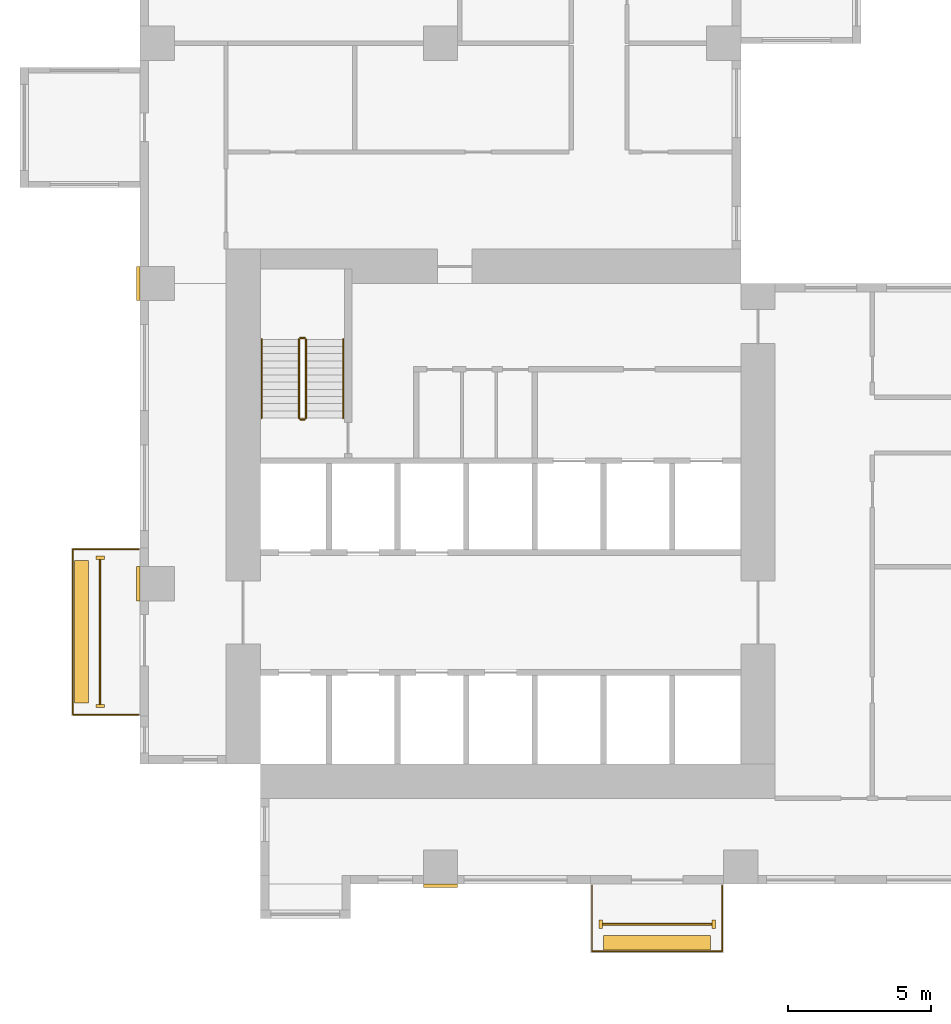
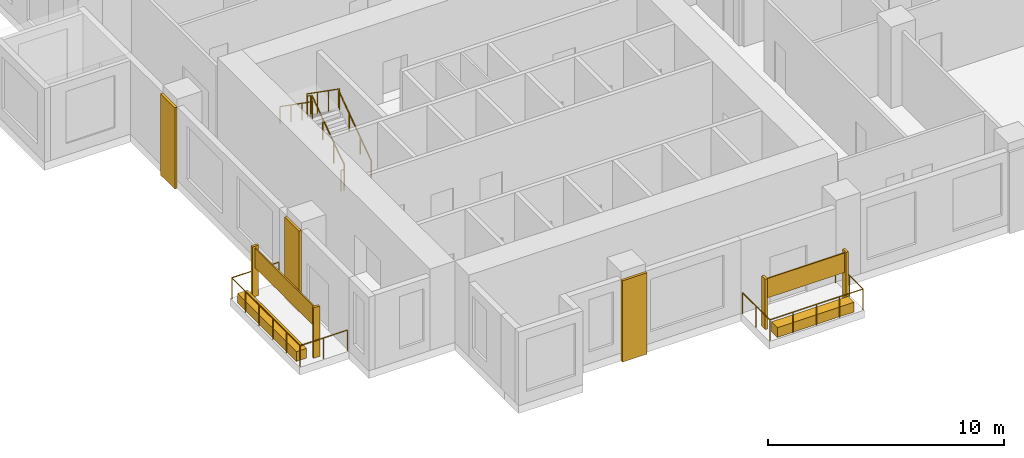
# One storey, part 11 of 14: 11 coverings, 8 railings.
"""IFC4 building model written with IfcOpenShell, lengths in metres."""

import ifcopenshell
import ifcopenshell.guid

model = None  # the IFC model being written
_history = None  # IfcOwnerHistory: only IFC2X3 demands one
_inside = {}  # id of a spatial element -> (the spatial element, [elements in it])
_under = {}  # id of a project, library or spatial element -> (it, [spatial elements below it])
_declared = {}  # id of a project -> (the project, [libraries it declares])
_typed = {}  # id of a type object -> (the type object, [elements of that type])
_made_of = {}  # id of a material, layer set ... -> (it, [elements and type objects made of it])


def new_model(schema):
    """Start an empty IFC model of exactly this schema.

    Asked for "IFC4X3", IfcOpenShell would pick the latest addendum, in which some entities
    have other attributes; the version numbers below select the first issue.
    IFC2X3 requires an IfcOwnerHistory on every rooted entity: one is made here for all.
    """
    global model, _history
    if schema == "IFC4X3":
        model = ifcopenshell.file(schema_version=(4, 3, 0, 0))
    else:
        model = ifcopenshell.file(schema=schema)
    _inside.clear()
    _under.clear()
    _declared.clear()
    _typed.clear()
    _made_of.clear()
    _history = None
    if model.schema == "IFC2X3":
        org = make("IfcOrganization", Name="unknown")
        user = make(
            "IfcPersonAndOrganization",
            ThePerson=make("IfcPerson", FamilyName="unknown"),
            TheOrganization=org,
        )
        app = make(
            "IfcApplication",
            ApplicationDeveloper=org,
            Version="unknown",
            ApplicationFullName="unknown",
            ApplicationIdentifier="unknown",
        )
        _history = make(
            "IfcOwnerHistory",
            OwningUser=user,
            OwningApplication=app,
            ChangeAction="ADDED",
            CreationDate=0,
        )
    return model


def make(cls, **values):
    """One entity of the class cls with the attributes given. An attribute that is None is left unset."""
    return model.create_entity(
        cls, **{name: value for name, value in values.items() if value is not None}
    )


def rooted(cls, **values):
    """An entity with a GlobalId (a new one), such as an element, a storey or a relation."""
    return make(cls, GlobalId=ifcopenshell.guid.new(), OwnerHistory=_history, **values)


def si_unit(unit_type, name, prefix=None):
    """IfcSIUnit, for example si_unit("LENGTHUNIT", "METRE", prefix="MILLI")."""
    return make("IfcSIUnit", UnitType=unit_type, Prefix=prefix, Name=name)


def assignment(units):
    """IfcUnitAssignment: the units of a project."""
    return None if units is None else make("IfcUnitAssignment", Units=units)


def point(xyz):
    """IfcCartesianPoint."""
    return None if xyz is None else make("IfcCartesianPoint", Coordinates=xyz)


def direction(xyz):
    """IfcDirection."""
    return None if xyz is None else make("IfcDirection", DirectionRatios=xyz)


def frame(location, z_axis=None, x_axis=None):
    """IfcAxis2Placement3D, a coordinate frame: its origin and axes. An axis left out is left unset."""
    return make(
        "IfcAxis2Placement3D",
        Location=point(location),
        Axis=direction(z_axis),
        RefDirection=direction(x_axis),
    )


def frame_2d(location, x_axis=None):
    """IfcAxis2Placement2D, a coordinate frame in the plane: its origin and x axis."""
    return make(
        "IfcAxis2Placement2D", Location=point(location), RefDirection=direction(x_axis)
    )


def origin():
    """The frame at (0, 0, 0) with its axes left unset."""
    return frame((0.0, 0.0, 0.0))


def origin_2d():
    """The frame at (0, 0) in the plane with its x axis left unset."""
    return frame_2d((0.0, 0.0))


def place(relative_to, where):
    """IfcLocalPlacement: puts the frame where relative to a parent placement (None: the world)."""
    return make(
        "IfcLocalPlacement", PlacementRelTo=relative_to, RelativePlacement=where
    )


def context(
    kind, dimensions, precision=None, world=None, true_north=None, identifier=None
):
    """IfcGeometricRepresentationContext, for example the 3D "Model" context."""
    return make(
        "IfcGeometricRepresentationContext",
        ContextIdentifier=identifier,
        ContextType=kind,
        CoordinateSpaceDimension=dimensions,
        Precision=precision,
        WorldCoordinateSystem=world,
        TrueNorth=true_north,
    )


def subcontext(parent, identifier, kind, view, scale=None):
    """IfcGeometricRepresentationSubContext, for example "Body" below "Model"."""
    return make(
        "IfcGeometricRepresentationSubContext",
        ContextIdentifier=identifier,
        ContextType=kind,
        ParentContext=parent,
        TargetScale=scale,
        TargetView=view,
    )


def project(units=None, contexts=None):
    """IfcProject with its units and contexts."""
    return rooted(
        "IfcProject",
        Name="project",
        RepresentationContexts=contexts,
        UnitsInContext=assignment(units),
    )


def spatial(cls, under=None, at=None, **own):
    """A site, building, storey or space (cls), placed at a placement, below another one or the project."""
    s = rooted(cls, ObjectPlacement=at, **own)
    if under is not None:
        _under.setdefault(under.id(), (under, []))[1].append(s)
    return s


def profile(cls, at=None, kind="AREA", **sizes):
    """A parametric profile (cls). Its sizes go by their IFC names, for example OverallWidth=200.0."""
    return make(cls, ProfileType=kind, Position=at, **sizes)


def rectangle(**sizes):
    """IfcRectangleProfileDef."""
    return profile("IfcRectangleProfileDef", **sizes)


def circle(**sizes):
    """IfcCircleProfileDef."""
    return profile("IfcCircleProfileDef", **sizes)


def extrude(swept, where, along, depth):
    """IfcExtrudedAreaSolid: the profile swept, set in the frame where, extruded along a direction by depth."""
    return make(
        "IfcExtrudedAreaSolid",
        SweptArea=swept,
        Position=where,
        ExtrudedDirection=direction(along),
        Depth=depth,
    )


def shape(context_of_items, identifier, shape_type, items):
    """IfcShapeRepresentation: the items that make up one representation, for example the "Body"."""
    return make(
        "IfcShapeRepresentation",
        ContextOfItems=context_of_items,
        RepresentationIdentifier=identifier,
        RepresentationType=shape_type,
        Items=items,
    )


def source(mapping_origin, context_of_items, identifier, shape_type, items):
    """IfcRepresentationMap: a shape defined once, which mapped items show again and again."""
    return make(
        "IfcRepresentationMap",
        MappingOrigin=mapping_origin,
        MappedRepresentation=shape(context_of_items, identifier, shape_type, items),
    )


def transform(
    local_origin,
    x_axis=None,
    y_axis=None,
    z_axis=None,
    scale=None,
    scale2=None,
    scale3=None,
    uniform=True,
):
    """IfcCartesianTransformationOperator3D, or its non-uniform kind. x_axis, y_axis, z_axis: its Axis1, 2, 3."""
    if uniform:
        return make(
            "IfcCartesianTransformationOperator3D",
            Axis1=direction(x_axis),
            Axis2=direction(y_axis),
            LocalOrigin=point(local_origin),
            Scale=scale,
            Axis3=direction(z_axis),
        )
    return make(
        "IfcCartesianTransformationOperator3DnonUniform",
        Axis1=direction(x_axis),
        Axis2=direction(y_axis),
        LocalOrigin=point(local_origin),
        Scale=scale,
        Axis3=direction(z_axis),
        Scale2=scale2,
        Scale3=scale3,
    )


def mapped(mapping_source, mapping_target):
    """IfcMappedItem: shows the shape of a source again, moved by a transform."""
    return make(
        "IfcMappedItem", MappingSource=mapping_source, MappingTarget=mapping_target
    )


def material(Name=None, Category=None):
    """IfcMaterial."""
    return make("IfcMaterial", Name=Name, Category=Category)


def made_of(thing, what):
    """Note that an element or type object is made of a material, layer set ...; save() writes the relation."""
    if what is not None:
        _made_of.setdefault(what.id(), (what, []))[1].append(thing)
    return thing


def type_object(cls, material=None, **own):
    """A type object (cls), such as IfcWallType, which elements share."""
    return made_of(rooted(cls, **own), material)


def element(
    cls,
    number,
    at=None,
    inside=None,
    cuts=None,
    type_object=None,
    material=None,
    context=None,
    identifier="Body",
    shape_type=None,
    held_by="IfcProductDefinitionShape",
    body=None,
    shapes=None,
    **own,
):
    """One element of the class cls, such as IfcWall. Its Tag is "e" and its number.

    at: its placement. inside: the storey or other place that contains it. cuts: it is an
    opening in that element (IfcRelVoidsElement). A single representation is given by context,
    identifier, shape_type and body (its items); several are given by shapes. held_by: the class
    of the entity that holds the representations. save() writes the other relations.
    """
    e = rooted(cls, Tag="e%d" % number, ObjectPlacement=at, **own)
    if body is not None:
        shapes = [shape(context, identifier, shape_type, body)]
    if shapes is not None:
        e.Representation = make(held_by, Representations=shapes)
    if inside is not None:
        _inside.setdefault(inside.id(), (inside, []))[1].append(e)
    if cuts is not None:
        rooted(
            "IfcRelVoidsElement", RelatingBuildingElement=cuts, RelatedOpeningElement=e
        )
    if type_object is not None:
        _typed.setdefault(type_object.id(), (type_object, []))[1].append(e)
    return made_of(e, material)


def aggregate(whole, parts):
    """IfcRelAggregates: a whole, such as a stair, and the parts it consists of."""
    return rooted("IfcRelAggregates", RelatingObject=whole, RelatedObjects=parts)


def save(model, path):
    """Write the relations noted so far, then the file.

    IfcRelAggregates (storeys below a building ...), IfcRelContainedInSpatialStructure (elements
    in a storey), IfcRelDefinesByType, IfcRelAssociatesMaterial and IfcRelDeclares: one each for
    every whole, place, type object, material and project.
    """
    for whole, parts in _under.values():
        aggregate(whole, parts)
    for where, things in _inside.values():
        rooted(
            "IfcRelContainedInSpatialStructure",
            RelatedElements=things,
            RelatingStructure=where,
        )
    for kind, things in _typed.values():
        rooted("IfcRelDefinesByType", RelatedObjects=things, RelatingType=kind)
    for what, things in _made_of.values():
        rooted("IfcRelAssociatesMaterial", RelatedObjects=things, RelatingMaterial=what)
    for by, libraries in _declared.values():
        rooted("IfcRelDeclares", RelatingContext=by, RelatedDefinitions=libraries)
    model.write(path)


model = new_model("IFC4")

# Units and contexts
model_context = context("Model", 3, precision=1e-05, world=origin(), true_north=direction((0.0, 1.0)))
body_context = subcontext(model_context, "Body", "Model", "MODEL_VIEW")
ifc_project = project(units=[si_unit("LENGTHUNIT", "METRE"), si_unit("AREAUNIT", "SQUARE_METRE"), si_unit("VOLUMEUNIT", "CUBIC_METRE"), si_unit("PLANEANGLEUNIT", "RADIAN"), si_unit("MASSUNIT", "GRAM", prefix="KILO")], contexts=[model_context])

# Site, building, storey
site_placement = place(None, origin())
site = spatial("IfcSite", under=ifc_project, at=site_placement, CompositionType="ELEMENT")
building_placement = place(site_placement, origin())
building = spatial("IfcBuilding", under=site, at=building_placement, Name="Aurelian Terraces", CompositionType="ELEMENT")
storey_placement = place(building_placement, frame((0.0, 0.0, 90.9)))
storey = spatial("IfcBuildingStorey", under=building, at=storey_placement, Name="L19", CompositionType="ELEMENT", Elevation=90.9)

# Coverings
ifc_material_1 = material(Name="Terracotta rainscreen cladding relief", Category="masonry")
covering_type_1 = type_object("IfcCoveringType", Name="FIN-TC", PredefinedType="CLADDING", material=ifc_material_1)
shared_shape_1 = source(origin(), body_context, "Body", "SweptSolid", [
    extrude(rectangle(XDim=0.3, YDim=0.12, at=origin_2d()), origin(), (0.0, 0.0, 1.0), 2.6),
])
for number, where, z_axis, x_axis, name in (
    (1, (-1.4, 11.41, 0.0), (0.0, 0.0, 1.0), (1.0, 0.0, 0.0), "FIN L19 L19-F14-36.1"),
    (2, (-1.4, 6.23, 0.0), (0.0, 0.0, 1.0), (1.0, 0.0, 0.0), "FIN L19 L19-F14-36.2"),
):
    element("IfcCovering", number, at=place(storey_placement, frame(where, z_axis=z_axis, x_axis=x_axis)), inside=storey, type_object=covering_type_1, Name=name, PredefinedType="CLADDING", context=body_context, shape_type="MappedRepresentation", body=[
        mapped(shared_shape_1, transform((0.0, 0.0, 0.0), scale=1.0)),
    ])
covering_type_2 = type_object("IfcCoveringType", Name="BAGUETTE-TC", PredefinedType="CLADDING", material=ifc_material_1)
shared_shape_2 = source(origin(), body_context, "Body", "SweptSolid", [
    extrude(rectangle(XDim=1.2, YDim=0.12, at=origin_2d()), origin(), (0.0, 0.0, 1.0), 4.2),
])
covering_1_placement = place(storey_placement, frame((10.5, -0.06, -0.4), z_axis=(0.0, 0.0, 1.0), x_axis=(1.0, 0.0, 0.0)))
element("IfcCovering", 3, at=covering_1_placement, inside=storey, type_object=covering_type_2, Name="BAGUETTE pier L19 1", PredefinedType="CLADDING", context=body_context, shape_type="MappedRepresentation", body=[
    mapped(shared_shape_2, transform((0.0, 0.0, 0.0), scale=1.0)),
])
shared_shape_3 = source(origin(), body_context, "Body", "SweptSolid", [
    extrude(rectangle(XDim=0.12, YDim=1.2, at=origin_2d()), origin(), (0.0, 0.0, 1.0), 4.2),
])
for number, where, z_axis, x_axis, name in (
    (4, (-0.06, 10.5, -0.4), (0.0, 0.0, 1.0), (1.0, 0.0, 0.0), "BAGUETTE pier L19 5"),
    (5, (-0.06, 21.0, -0.4), (0.0, 0.0, 1.0), (1.0, 0.0, 0.0), "BAGUETTE pier L19 9"),
):
    element("IfcCovering", number, at=place(storey_placement, frame(where, z_axis=z_axis, x_axis=x_axis)), inside=storey, type_object=covering_type_2, Name=name, PredefinedType="CLADDING", context=body_context, shape_type="MappedRepresentation", body=[
        mapped(shared_shape_3, transform((0.0, 0.0, 0.0), scale=1.0)),
    ])
shared_shape_4 = source(origin(), body_context, "Body", "SweptSolid", [
    extrude(rectangle(XDim=0.12, YDim=0.3, at=origin_2d()), origin(), (0.0, 0.0, 1.0), 2.6),
])
for number, where, z_axis, x_axis, name in (
    (6, (16.1, -1.4, 0.0), (0.0, 0.0, 1.0), (1.0, 0.0, 0.0), "FIN L19 L19-F01-04.1"),
    (7, (20.05, -1.4, 0.0), (0.0, 0.0, 1.0), (1.0, 0.0, 0.0), "FIN L19 L19-F01-04.2"),
):
    element("IfcCovering", number, at=place(storey_placement, frame(where, z_axis=z_axis, x_axis=x_axis)), inside=storey, type_object=covering_type_1, Name=name, PredefinedType="CLADDING", context=body_context, shape_type="MappedRepresentation", body=[
        mapped(shared_shape_4, transform((0.0, 0.0, 0.0), scale=1.0)),
    ])

# Railing
ifc_material_2 = material(Name="Anodised aluminium", Category="aluminium")
railing_type_1 = type_object("IfcRailingType", Name="GUARD-1100", PredefinedType="GUARDRAIL", material=ifc_material_2)
shared_shape_5 = source(origin(), body_context, "Body", "SweptSolid", [
    extrude(circle(Radius=0.024, at=origin_2d()), frame((0.0, 0.0, 1.076), z_axis=(-1.0, 0.0, 0.0), x_axis=(0.0, -1.0, 0.0)), (0.0, 0.0, 1.0), 2.3),
    extrude(circle(Radius=0.024, at=origin_2d()), frame((-2.3, 0.0, 1.076), z_axis=(0.0, -1.0, 0.0), x_axis=(1.0, 0.0, 0.0)), (0.0, 0.0, 1.0), 5.78),
    extrude(circle(Radius=0.024, at=origin_2d()), frame((-2.3, -5.78, 1.076), z_axis=(1.0, 0.0, 0.0), x_axis=(0.0, 1.0, 0.0)), (0.0, 0.0, 1.0), 2.3),
    extrude(circle(Radius=0.021, at=origin_2d()), origin(), (0.0, 0.0, 1.0), 1.052),
    extrude(circle(Radius=0.021, at=origin_2d()), frame((-1.15, 0.0, 0.0)), (0.0, 0.0, 1.0), 1.052),
    extrude(circle(Radius=0.021, at=origin_2d()), frame((-2.3, 0.0, 0.0)), (0.0, 0.0, 1.0), 1.052),
    extrude(circle(Radius=0.021, at=origin_2d()), frame((-2.3, -1.156, 0.0)), (0.0, 0.0, 1.0), 1.052),
    extrude(circle(Radius=0.021, at=origin_2d()), frame((-2.3, -2.312, 0.0)), (0.0, 0.0, 1.0), 1.052),
    extrude(circle(Radius=0.021, at=origin_2d()), frame((-2.3, -3.468, 0.0)), (0.0, 0.0, 1.0), 1.052),
    extrude(circle(Radius=0.021, at=origin_2d()), frame((-2.3, -4.624, 0.0)), (0.0, 0.0, 1.0), 1.052),
    extrude(circle(Radius=0.021, at=origin_2d()), frame((-2.3, -5.78, 0.0)), (0.0, 0.0, 1.0), 1.052),
    extrude(circle(Radius=0.021, at=origin_2d()), frame((-1.15, -5.78, 0.0)), (0.0, 0.0, 1.0), 1.052),
    extrude(circle(Radius=0.021, at=origin_2d()), frame((0.0, -5.78, 0.0)), (0.0, 0.0, 1.0), 1.052),
])
railing_1_placement = place(storey_placement, frame((-0.05, 11.71, 0.0)))
element("IfcRailing", 8, at=railing_1_placement, inside=storey, type_object=railing_type_1, Name="Balcony guard L19 F14.36", PredefinedType="GUARDRAIL", context=body_context, shape_type="MappedRepresentation", body=[
    mapped(shared_shape_5, transform((0.0, 0.0, 0.0), scale=1.0)),
])

# Coverings
ifc_material_3 = material(Name="Terracotta planter with planting soil", Category="masonry")
covering_type_3 = type_object("IfcCoveringType", Name="PLANTER-TROUGH", PredefinedType="USERDEFINED", material=ifc_material_3)
shared_shape_6 = source(origin(), body_context, "Body", "SweptSolid", [
    extrude(rectangle(XDim=0.5, YDim=4.98, at=origin_2d()), origin(), (0.0, 0.0, 1.0), 0.5),
])
covering_2_placement = place(storey_placement, frame((-2.05, 8.82, 0.0), z_axis=(0.0, 0.0, 1.0), x_axis=(1.0, 0.0, 0.0)))
element("IfcCovering", 9, at=covering_2_placement, inside=storey, type_object=covering_type_3, Name="PLANTER L19 L19-F14-36", ObjectType="PLANTER", PredefinedType="USERDEFINED", context=body_context, shape_type="MappedRepresentation", body=[
    mapped(shared_shape_6, transform((0.0, 0.0, 0.0), scale=1.0)),
])
ifc_material_4 = material(Name="Terracotta rainscreen cladding", Category="masonry")
covering_type_4 = type_object("IfcCoveringType", Name="SCREEN-TC", PredefinedType="CLADDING", material=ifc_material_4)
shared_shape_7 = source(origin(), body_context, "Body", "SweptSolid", [
    extrude(rectangle(XDim=0.06, YDim=5.06, at=origin_2d()), origin(), (0.0, 0.0, 1.0), 1.0),
])
covering_3_placement = place(storey_placement, frame((-1.4, 8.82, 1.5), z_axis=(0.0, 0.0, 1.0), x_axis=(1.0, 0.0, 0.0)))
element("IfcCovering", 10, at=covering_3_placement, inside=storey, type_object=covering_type_4, Name="SCREEN L19 L19-F14-36", PredefinedType="CLADDING", context=body_context, shape_type="MappedRepresentation", body=[
    mapped(shared_shape_7, transform((0.0, 0.0, 0.0), scale=1.0)),
])

# Railing
shared_shape_8 = source(origin(), body_context, "Body", "SweptSolid", [
    extrude(circle(Radius=0.024, at=origin_2d()), frame((0.0, 0.0, 1.076), z_axis=(0.0, -1.0, 0.0), x_axis=(1.0, 0.0, 0.0)), (0.0, 0.0, 1.0), 2.3),
    extrude(circle(Radius=0.024, at=origin_2d()), frame((0.0, -2.3, 1.076), z_axis=(1.0, 0.0, 0.0), x_axis=(0.0, 1.0, 0.0)), (0.0, 0.0, 1.0), 4.55),
    extrude(circle(Radius=0.024, at=origin_2d()), frame((4.55, -2.3, 1.076), z_axis=(0.0, 1.0, 0.0), x_axis=(-1.0, 0.0, 0.0)), (0.0, 0.0, 1.0), 2.3),
    extrude(circle(Radius=0.021, at=origin_2d()), origin(), (0.0, 0.0, 1.0), 1.052),
    extrude(circle(Radius=0.021, at=origin_2d()), frame((0.0, -1.15, 0.0)), (0.0, 0.0, 1.0), 1.052),
    extrude(circle(Radius=0.021, at=origin_2d()), frame((0.0, -2.3, 0.0)), (0.0, 0.0, 1.0), 1.052),
    extrude(circle(Radius=0.021, at=origin_2d()), frame((1.1375, -2.3, 0.0)), (0.0, 0.0, 1.0), 1.052),
    extrude(circle(Radius=0.021, at=origin_2d()), frame((2.275, -2.3, 0.0)), (0.0, 0.0, 1.0), 1.052),
    extrude(circle(Radius=0.021, at=origin_2d()), frame((3.4125, -2.3, 0.0)), (0.0, 0.0, 1.0), 1.052),
    extrude(circle(Radius=0.021, at=origin_2d()), frame((4.55, -2.3, 0.0)), (0.0, 0.0, 1.0), 1.052),
    extrude(circle(Radius=0.021, at=origin_2d()), frame((4.55, -1.15, 0.0)), (0.0, 0.0, 1.0), 1.052),
    extrude(circle(Radius=0.021, at=origin_2d()), frame((4.55, 0.0, 0.0)), (0.0, 0.0, 1.0), 1.052),
])
railing_2_placement = place(storey_placement, frame((15.8, -0.05, 0.0)))
element("IfcRailing", 11, at=railing_2_placement, inside=storey, type_object=railing_type_1, Name="Balcony guard L19 F01.4", PredefinedType="GUARDRAIL", context=body_context, shape_type="MappedRepresentation", body=[
    mapped(shared_shape_8, transform((0.0, 0.0, 0.0), scale=1.0)),
])

# Coverings
shared_shape_9 = source(origin(), body_context, "Body", "SweptSolid", [
    extrude(rectangle(XDim=3.75, YDim=0.5, at=origin_2d()), origin(), (0.0, 0.0, 1.0), 0.5),
])
covering_4_placement = place(storey_placement, frame((18.075, -2.05, 0.0), z_axis=(0.0, 0.0, 1.0), x_axis=(1.0, 0.0, 0.0)))
element("IfcCovering", 12, at=covering_4_placement, inside=storey, type_object=covering_type_3, Name="PLANTER L19 L19-F01-04", ObjectType="PLANTER", PredefinedType="USERDEFINED", context=body_context, shape_type="MappedRepresentation", body=[
    mapped(shared_shape_9, transform((0.0, 0.0, 0.0), scale=1.0)),
])
shared_shape_10 = source(origin(), body_context, "Body", "SweptSolid", [
    extrude(rectangle(XDim=3.83, YDim=0.06, at=origin_2d()), origin(), (0.0, 0.0, 1.0), 1.0),
])
covering_5_placement = place(storey_placement, frame((18.075, -1.4, 1.5), z_axis=(0.0, 0.0, 1.0), x_axis=(1.0, 0.0, 0.0)))
element("IfcCovering", 13, at=covering_5_placement, inside=storey, type_object=covering_type_4, Name="SCREEN L19 L19-F01-04", PredefinedType="CLADDING", context=body_context, shape_type="MappedRepresentation", body=[
    mapped(shared_shape_10, transform((0.0, 0.0, 0.0), scale=1.0)),
])

# Railings
ifc_material_5 = material(Name="Stainless steel", Category="steel")
railing_type_2 = type_object("IfcRailingType", Name="Stair guard 1100", PredefinedType="GUARDRAIL", material=ifc_material_5)
shared_shape_11 = source(origin(), body_context, "Body", "SweptSolid", [
    extrude(circle(Radius=0.024, at=origin_2d()), frame((0.0, 0.0, 1.076), z_axis=(-1.0, 0.0, 0.0), x_axis=(0.0, -1.0, 0.0)), (0.0, 0.0, 1.0), 0.15),
    extrude(circle(Radius=0.021, at=origin_2d()), origin(), (0.0, 0.0, 1.0), 1.052),
    extrude(circle(Radius=0.021, at=origin_2d()), frame((-0.15, 0.0, 0.0)), (0.0, 0.0, 1.0), 1.052),
])
for number, where, name in (
    (14, (5.75, 19.1, 2.1), "L19 S1 stair guard 2"),
    (15, (5.75, 16.25, 0.0), "L19 S1 stair guard 4"),
):
    element("IfcRailing", number, at=place(storey_placement, frame(where)), inside=storey, type_object=railing_type_2, Name=name, PredefinedType="GUARDRAIL", context=body_context, shape_type="MappedRepresentation", body=[
        mapped(shared_shape_11, transform((0.0, 0.0, 0.0), scale=1.0)),
    ])
shared_shape_12 = source(origin(), body_context, "Body", "SweptSolid", [
    extrude(circle(Radius=0.024, at=origin_2d()), frame((0.0, 0.0, 1.076), z_axis=(0.0, 0.819231920519, 0.573462344363), x_axis=(-1.0, 0.0, 0.0)), (0.0, 0.0, 1.0), 3.3568),
    extrude(circle(Radius=0.021, at=origin_2d()), origin(), (0.0, 0.0, 1.0), 1.052),
    extrude(circle(Radius=0.021, at=origin_2d()), frame((0.0, 0.9167, 0.6417)), (0.0, 0.0, 1.0), 1.052),
    extrude(circle(Radius=0.021, at=origin_2d()), frame((0.0, 1.8333, 1.2833)), (0.0, 0.0, 1.0), 1.052),
    extrude(circle(Radius=0.021, at=origin_2d()), frame((0.0, 2.75, 1.925)), (0.0, 0.0, 1.0), 1.052),
])
railing_3_placement = place(storey_placement, frame((5.8, 16.3, 0.175)))
element("IfcRailing", 16, at=railing_3_placement, inside=storey, type_object=railing_type_2, Name="L19 S1 stair guard 1", PredefinedType="GUARDRAIL", context=body_context, shape_type="MappedRepresentation", body=[
    mapped(shared_shape_12, transform((0.0, 0.0, 0.0), scale=1.0)),
])
shared_shape_13 = source(origin(), body_context, "Body", "SweptSolid", [
    extrude(circle(Radius=0.024, at=origin_2d()), frame((0.0, 0.0, 1.076), z_axis=(0.0, -0.819231920519, 0.573462344363), x_axis=(1.0, 0.0, 0.0)), (0.0, 0.0, 1.0), 3.3568),
    extrude(circle(Radius=0.021, at=origin_2d()), origin(), (0.0, 0.0, 1.0), 1.052),
    extrude(circle(Radius=0.021, at=origin_2d()), frame((0.0, -0.9167, 0.6417)), (0.0, 0.0, 1.0), 1.052),
    extrude(circle(Radius=0.021, at=origin_2d()), frame((0.0, -1.8333, 1.2833)), (0.0, 0.0, 1.0), 1.052),
    extrude(circle(Radius=0.021, at=origin_2d()), frame((0.0, -2.75, 1.925)), (0.0, 0.0, 1.0), 1.052),
])
railing_4_placement = place(storey_placement, frame((5.55, 19.05, 2.275)))
element("IfcRailing", 17, at=railing_4_placement, inside=storey, type_object=railing_type_2, Name="L19 S1 stair guard 3", PredefinedType="GUARDRAIL", context=body_context, shape_type="MappedRepresentation", body=[
    mapped(shared_shape_13, transform((0.0, 0.0, 0.0), scale=1.0)),
])
railing_type_3 = type_object("IfcRailingType", Name="Stair handrail", PredefinedType="HANDRAIL", material=ifc_material_5)
shared_shape_14 = source(origin(), body_context, "Body", "SweptSolid", [
    extrude(circle(Radius=0.024, at=origin_2d()), frame((0.0, 0.0, 0.876), z_axis=(0.0, 0.819231920519, 0.573462344363), x_axis=(-1.0, 0.0, 0.0)), (0.0, 0.0, 1.0), 3.3568),
    extrude(circle(Radius=0.021, at=origin_2d()), origin(), (0.0, 0.0, 1.0), 0.852),
    extrude(circle(Radius=0.021, at=origin_2d()), frame((0.0, 0.9167, 0.6417)), (0.0, 0.0, 1.0), 0.852),
    extrude(circle(Radius=0.021, at=origin_2d()), frame((0.0, 1.8333, 1.2833)), (0.0, 0.0, 1.0), 0.852),
    extrude(circle(Radius=0.021, at=origin_2d()), frame((0.0, 2.75, 1.925)), (0.0, 0.0, 1.0), 0.852),
])
railing_5_placement = place(storey_placement, frame((7.1, 16.3, 0.175)))
element("IfcRailing", 18, at=railing_5_placement, inside=storey, type_object=railing_type_3, Name="L19 S1 stair handrail 1", PredefinedType="HANDRAIL", context=body_context, shape_type="MappedRepresentation", body=[
    mapped(shared_shape_14, transform((0.0, 0.0, 0.0), scale=1.0)),
])
shared_shape_15 = source(origin(), body_context, "Body", "SweptSolid", [
    extrude(circle(Radius=0.024, at=origin_2d()), frame((0.0, 0.0, 0.876), z_axis=(0.0, -0.819231920519, 0.573462344363), x_axis=(1.0, 0.0, 0.0)), (0.0, 0.0, 1.0), 3.3568),
    extrude(circle(Radius=0.021, at=origin_2d()), origin(), (0.0, 0.0, 1.0), 0.852),
    extrude(circle(Radius=0.021, at=origin_2d()), frame((0.0, -0.9167, 0.6417)), (0.0, 0.0, 1.0), 0.852),
    extrude(circle(Radius=0.021, at=origin_2d()), frame((0.0, -1.8333, 1.2833)), (0.0, 0.0, 1.0), 0.852),
    extrude(circle(Radius=0.021, at=origin_2d()), frame((0.0, -2.75, 1.925)), (0.0, 0.0, 1.0), 0.852),
])
railing_6_placement = place(storey_placement, frame((4.25, 19.05, 2.275)))
element("IfcRailing", 19, at=railing_6_placement, inside=storey, type_object=railing_type_3, Name="L19 S1 stair handrail 2", PredefinedType="HANDRAIL", context=body_context, shape_type="MappedRepresentation", body=[
    mapped(shared_shape_15, transform((0.0, 0.0, 0.0), scale=1.0)),
])

save(model, "model.ifc")
